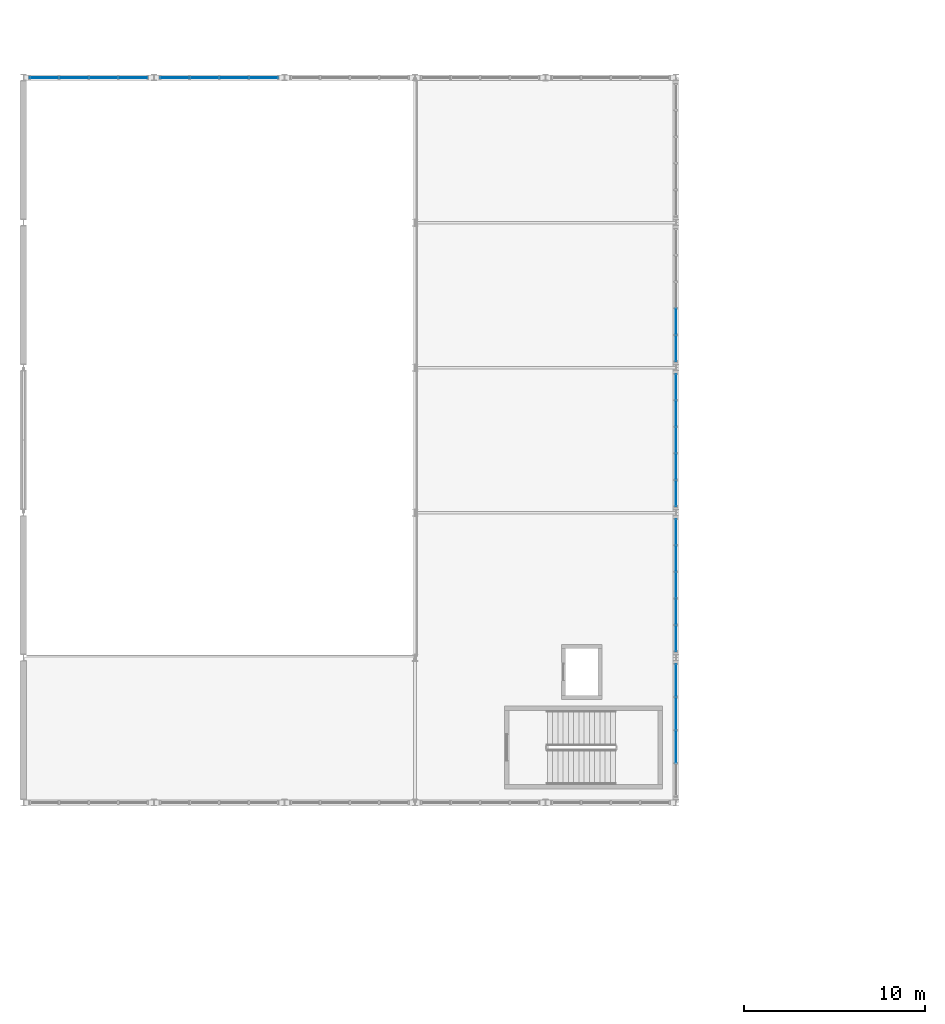
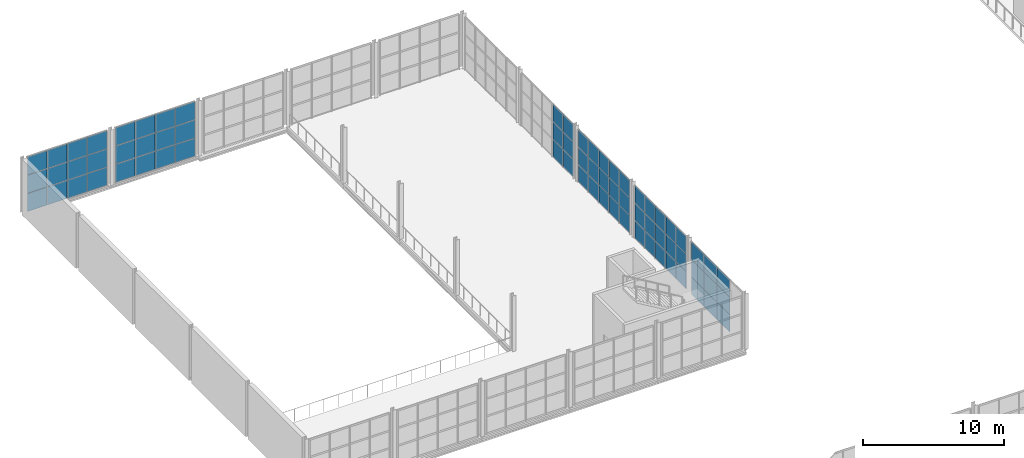
# One storey, part 112 of 143: 69 plates, 6 elements without a shape of their own.
"""IFC4 building model written with IfcOpenShell, lengths in metres."""

from ifc_helpers import new_model, si_unit, derived_unit, direction, frame, origin, origin_2d, place, context, subcontext, project, spatial, rectangle, extrude, material, layer, layer_set, type_object, element, aggregate, save


model = new_model("IFC4")

# Units and contexts
model_context = context("Model", 3, precision=1e-05, world=origin(), true_north=direction((0.0, 1.0)))
body_context = subcontext(model_context, "Body", "Model", "MODEL_VIEW")
ifc_project = project(units=[si_unit("LENGTHUNIT", "METRE"), si_unit("AREAUNIT", "SQUARE_METRE"), si_unit("VOLUMEUNIT", "CUBIC_METRE"), si_unit("PLANEANGLEUNIT", "RADIAN"), si_unit("MASSUNIT", "GRAM", prefix="KILO"), derived_unit("THERMALTRANSMITTANCEUNIT", [(si_unit("POWERUNIT", "WATT"), 1), (si_unit("LENGTHUNIT", "METRE"), -2), (si_unit("THERMODYNAMICTEMPERATUREUNIT", "KELVIN"), -1)])], contexts=[model_context])

# Site, building, storey
site_placement = place(None, origin())
site = spatial("IfcSite", under=ifc_project, at=site_placement, CompositionType="ELEMENT")
building_placement = place(site_placement, origin())
building = spatial("IfcBuilding", under=site, at=building_placement, Name="Keldorne Ridge Multi-Sports Centre", CompositionType="ELEMENT")
storey_placement = place(building_placement, frame((0.0, 0.0, 4.800048828125)))
storey = spatial("IfcBuildingStorey", under=building, at=storey_placement, Name="L01", CompositionType="ELEMENT", Elevation=4.800048828125)

# Curtain wall, plates
ifc_material_1 = material(Name="Anodized aluminium", Category="aluminium")
curtain_wall_type_1 = type_object("IfcCurtainWallType", Name="CW-CW-03", PredefinedType="NOTDEFINED", material=ifc_material_1)
curtain_wall_1_placement = place(storey_placement, origin())
curtain_wall_1 = element("IfcCurtainWall", 1, at=curtain_wall_1_placement, inside=storey, type_object=curtain_wall_type_1, Name="Climbing east courtyard glazing L01 059", PredefinedType="NOTDEFINED")
ifc_material_2 = material(Name="Double low-e insulated glazing", Category="glass")
ifc_layer_1 = layer(ifc_material_2, 0.035888671875)
ifc_layer_set_1 = layer_set([ifc_layer_1])
plate_type_1 = type_object("IfcPlateType", Name="PLT-GL-01", PredefinedType="CURTAIN_PANEL", material=ifc_layer_set_1)
plate_1_placement = place(storey_placement, frame((42.0, 77.0849609375, 0.02001953125), z_axis=(0.0, 0.0, 1.0), x_axis=(0.0, 1.0, 0.0)))
plate_1 = element("IfcPlate", 2, at=plate_1_placement, type_object=plate_type_1, Name="CW-059 glazed panel 2.1", PredefinedType="CURTAIN_PANEL", context=body_context, shape_type="SweptSolid", body=[
    extrude(rectangle(XDim=1.7900390625, YDim=0.035888671875, at=origin_2d()), origin(), (0.0, 0.0, 1.0), 1.476806640625),
])
plate_2_placement = place(storey_placement, frame((42.0, 77.0849609375, 1.53662109375), z_axis=(0.0, 0.0, 1.0), x_axis=(0.0, 1.0, 0.0)))
plate_2 = element("IfcPlate", 3, at=plate_2_placement, type_object=plate_type_1, Name="CW-059 glazed panel 2.2", PredefinedType="CURTAIN_PANEL", context=body_context, shape_type="SweptSolid", body=[
    extrude(rectangle(XDim=1.7900390625, YDim=0.035888671875, at=origin_2d()), origin(), (0.0, 0.0, 1.0), 1.476806640625),
])
plate_3_placement = place(storey_placement, frame((42.0, 77.0849609375, 3.05322265625), z_axis=(0.0, 0.0, 1.0), x_axis=(0.0, 1.0, 0.0)))
plate_3 = element("IfcPlate", 4, at=plate_3_placement, type_object=plate_type_1, Name="CW-059 glazed panel 2.3", PredefinedType="CURTAIN_PANEL", context=body_context, shape_type="SweptSolid", body=[
    extrude(rectangle(XDim=1.7900390625, YDim=0.035888671875, at=origin_2d()), origin(), (0.0, 0.0, 1.0), 1.476806640625),
])
plate_4_placement = place(storey_placement, frame((42.0, 78.9150390625, 0.02001953125), z_axis=(0.0, 0.0, 1.0), x_axis=(0.0, 1.0, 0.0)))
plate_4 = element("IfcPlate", 5, at=plate_4_placement, type_object=plate_type_1, Name="CW-059 glazed panel 3.1", PredefinedType="CURTAIN_PANEL", context=body_context, shape_type="SweptSolid", body=[
    extrude(rectangle(XDim=1.7900390625, YDim=0.035888671875, at=origin_2d()), origin(), (0.0, 0.0, 1.0), 1.476806640625),
])
plate_5_placement = place(storey_placement, frame((42.0, 78.9150390625, 1.53662109375), z_axis=(0.0, 0.0, 1.0), x_axis=(0.0, 1.0, 0.0)))
plate_5 = element("IfcPlate", 6, at=plate_5_placement, type_object=plate_type_1, Name="CW-059 glazed panel 3.2", PredefinedType="CURTAIN_PANEL", context=body_context, shape_type="SweptSolid", body=[
    extrude(rectangle(XDim=1.7900390625, YDim=0.035888671875, at=origin_2d()), origin(), (0.0, 0.0, 1.0), 1.476806640625),
])
plate_6_placement = place(storey_placement, frame((42.0, 78.9150390625, 3.05322265625), z_axis=(0.0, 0.0, 1.0), x_axis=(0.0, 1.0, 0.0)))
plate_6 = element("IfcPlate", 7, at=plate_6_placement, type_object=plate_type_1, Name="CW-059 glazed panel 3.3", PredefinedType="CURTAIN_PANEL", context=body_context, shape_type="SweptSolid", body=[
    extrude(rectangle(XDim=1.7900390625, YDim=0.035888671875, at=origin_2d()), origin(), (0.0, 0.0, 1.0), 1.476806640625),
])
plate_7_placement = place(storey_placement, frame((42.0, 80.7451171875, 0.02001953125), z_axis=(0.0, 0.0, 1.0), x_axis=(0.0, 1.0, 0.0)))
plate_7 = element("IfcPlate", 8, at=plate_7_placement, type_object=plate_type_1, Name="CW-059 glazed panel 4.1", PredefinedType="CURTAIN_PANEL", context=body_context, shape_type="SweptSolid", body=[
    extrude(rectangle(XDim=1.7900390625, YDim=0.035888671875, at=origin_2d()), origin(), (0.0, 0.0, 1.0), 1.476806640625),
])
plate_8_placement = place(storey_placement, frame((42.0, 80.7451171875, 1.53662109375), z_axis=(0.0, 0.0, 1.0), x_axis=(0.0, 1.0, 0.0)))
plate_8 = element("IfcPlate", 9, at=plate_8_placement, type_object=plate_type_1, Name="CW-059 glazed panel 4.2", PredefinedType="CURTAIN_PANEL", context=body_context, shape_type="SweptSolid", body=[
    extrude(rectangle(XDim=1.7900390625, YDim=0.035888671875, at=origin_2d()), origin(), (0.0, 0.0, 1.0), 1.476806640625),
])
plate_9_placement = place(storey_placement, frame((42.0, 80.7451171875, 3.05322265625), z_axis=(0.0, 0.0, 1.0), x_axis=(0.0, 1.0, 0.0)))
plate_9 = element("IfcPlate", 10, at=plate_9_placement, type_object=plate_type_1, Name="CW-059 glazed panel 4.3", PredefinedType="CURTAIN_PANEL", context=body_context, shape_type="SweptSolid", body=[
    extrude(rectangle(XDim=1.7900390625, YDim=0.035888671875, at=origin_2d()), origin(), (0.0, 0.0, 1.0), 1.476806640625),
])
aggregate(curtain_wall_1, [plate_1, plate_2, plate_3, plate_4, plate_5, plate_6, plate_7, plate_8, plate_9])

curtain_wall_type_2 = type_object("IfcCurtainWallType", Name="CW-CW-06", PredefinedType="NOTDEFINED", material=ifc_material_1)
curtain_wall_2_placement = place(storey_placement, origin())
curtain_wall_2 = element("IfcCurtainWall", 11, at=curtain_wall_2_placement, inside=storey, type_object=curtain_wall_type_2, Name="Climbing east courtyard glazing L01 062", PredefinedType="NOTDEFINED")
plate_10_placement = place(storey_placement, frame((42.0, 83.072021484375, 0.02001953125), z_axis=(0.0, 0.0, 1.0), x_axis=(0.0, 1.0, 0.0)))
plate_10 = element("IfcPlate", 12, at=plate_10_placement, type_object=plate_type_1, Name="CW-062 glazed panel 1.1", PredefinedType="CURTAIN_PANEL", context=body_context, shape_type="SweptSolid", body=[
    extrude(rectangle(XDim=1.424072265625, YDim=0.035888671875, at=origin_2d()), origin(), (0.0, 0.0, 1.0), 1.476806640625),
])
plate_11_placement = place(storey_placement, frame((42.0, 83.072021484375, 1.53662109375), z_axis=(0.0, 0.0, 1.0), x_axis=(0.0, 1.0, 0.0)))
plate_11 = element("IfcPlate", 13, at=plate_11_placement, type_object=plate_type_1, Name="CW-062 glazed panel 1.2", PredefinedType="CURTAIN_PANEL", context=body_context, shape_type="SweptSolid", body=[
    extrude(rectangle(XDim=1.424072265625, YDim=0.035888671875, at=origin_2d()), origin(), (0.0, 0.0, 1.0), 1.476806640625),
])
plate_12_placement = place(storey_placement, frame((42.0, 83.072021484375, 3.05322265625), z_axis=(0.0, 0.0, 1.0), x_axis=(0.0, 1.0, 0.0)))
plate_12 = element("IfcPlate", 14, at=plate_12_placement, type_object=plate_type_1, Name="CW-062 glazed panel 1.3", PredefinedType="CURTAIN_PANEL", context=body_context, shape_type="SweptSolid", body=[
    extrude(rectangle(XDim=1.424072265625, YDim=0.035888671875, at=origin_2d()), origin(), (0.0, 0.0, 1.0), 1.476806640625),
])
plate_13_placement = place(storey_placement, frame((42.0, 84.535888671875, 0.02001953125), z_axis=(0.0, 0.0, 1.0), x_axis=(0.0, 1.0, 0.0)))
plate_13 = element("IfcPlate", 15, at=plate_13_placement, type_object=plate_type_1, Name="CW-062 glazed panel 2.1", PredefinedType="CURTAIN_PANEL", context=body_context, shape_type="SweptSolid", body=[
    extrude(rectangle(XDim=1.424072265625, YDim=0.035888671875, at=origin_2d()), origin(), (0.0, 0.0, 1.0), 1.476806640625),
])
plate_14_placement = place(storey_placement, frame((42.0, 84.535888671875, 1.53662109375), z_axis=(0.0, 0.0, 1.0), x_axis=(0.0, 1.0, 0.0)))
plate_14 = element("IfcPlate", 16, at=plate_14_placement, type_object=plate_type_1, Name="CW-062 glazed panel 2.2", PredefinedType="CURTAIN_PANEL", context=body_context, shape_type="SweptSolid", body=[
    extrude(rectangle(XDim=1.424072265625, YDim=0.035888671875, at=origin_2d()), origin(), (0.0, 0.0, 1.0), 1.476806640625),
])
plate_15_placement = place(storey_placement, frame((42.0, 84.535888671875, 3.05322265625), z_axis=(0.0, 0.0, 1.0), x_axis=(0.0, 1.0, 0.0)))
plate_15 = element("IfcPlate", 17, at=plate_15_placement, type_object=plate_type_1, Name="CW-062 glazed panel 2.3", PredefinedType="CURTAIN_PANEL", context=body_context, shape_type="SweptSolid", body=[
    extrude(rectangle(XDim=1.424072265625, YDim=0.035888671875, at=origin_2d()), origin(), (0.0, 0.0, 1.0), 1.476806640625),
])
plate_16_placement = place(storey_placement, frame((42.0, 86.0, 0.02001953125), z_axis=(0.0, 0.0, 1.0), x_axis=(0.0, 1.0, 0.0)))
plate_16 = element("IfcPlate", 18, at=plate_16_placement, type_object=plate_type_1, Name="CW-062 glazed panel 3.1", PredefinedType="CURTAIN_PANEL", context=body_context, shape_type="SweptSolid", body=[
    extrude(rectangle(XDim=1.424072265625, YDim=0.035888671875, at=origin_2d()), origin(), (0.0, 0.0, 1.0), 1.476806640625),
])
plate_17_placement = place(storey_placement, frame((42.0, 86.0, 1.53662109375), z_axis=(0.0, 0.0, 1.0), x_axis=(0.0, 1.0, 0.0)))
plate_17 = element("IfcPlate", 19, at=plate_17_placement, type_object=plate_type_1, Name="CW-062 glazed panel 3.2", PredefinedType="CURTAIN_PANEL", context=body_context, shape_type="SweptSolid", body=[
    extrude(rectangle(XDim=1.424072265625, YDim=0.035888671875, at=origin_2d()), origin(), (0.0, 0.0, 1.0), 1.476806640625),
])
plate_18_placement = place(storey_placement, frame((42.0, 86.0, 3.05322265625), z_axis=(0.0, 0.0, 1.0), x_axis=(0.0, 1.0, 0.0)))
plate_18 = element("IfcPlate", 20, at=plate_18_placement, type_object=plate_type_1, Name="CW-062 glazed panel 3.3", PredefinedType="CURTAIN_PANEL", context=body_context, shape_type="SweptSolid", body=[
    extrude(rectangle(XDim=1.424072265625, YDim=0.035888671875, at=origin_2d()), origin(), (0.0, 0.0, 1.0), 1.476806640625),
])
plate_19_placement = place(storey_placement, frame((42.0, 87.464111328125, 0.02001953125), z_axis=(0.0, 0.0, 1.0), x_axis=(0.0, 1.0, 0.0)))
plate_19 = element("IfcPlate", 21, at=plate_19_placement, type_object=plate_type_1, Name="CW-062 glazed panel 4.1", PredefinedType="CURTAIN_PANEL", context=body_context, shape_type="SweptSolid", body=[
    extrude(rectangle(XDim=1.424072265625, YDim=0.035888671875, at=origin_2d()), origin(), (0.0, 0.0, 1.0), 1.476806640625),
])
plate_20_placement = place(storey_placement, frame((42.0, 87.464111328125, 1.53662109375), z_axis=(0.0, 0.0, 1.0), x_axis=(0.0, 1.0, 0.0)))
plate_20 = element("IfcPlate", 22, at=plate_20_placement, type_object=plate_type_1, Name="CW-062 glazed panel 4.2", PredefinedType="CURTAIN_PANEL", context=body_context, shape_type="SweptSolid", body=[
    extrude(rectangle(XDim=1.424072265625, YDim=0.035888671875, at=origin_2d()), origin(), (0.0, 0.0, 1.0), 1.476806640625),
])
plate_21_placement = place(storey_placement, frame((42.0, 87.464111328125, 3.05322265625), z_axis=(0.0, 0.0, 1.0), x_axis=(0.0, 1.0, 0.0)))
plate_21 = element("IfcPlate", 23, at=plate_21_placement, type_object=plate_type_1, Name="CW-062 glazed panel 4.3", PredefinedType="CURTAIN_PANEL", context=body_context, shape_type="SweptSolid", body=[
    extrude(rectangle(XDim=1.424072265625, YDim=0.035888671875, at=origin_2d()), origin(), (0.0, 0.0, 1.0), 1.476806640625),
])
plate_22_placement = place(storey_placement, frame((42.0, 88.927978515625, 0.02001953125), z_axis=(0.0, 0.0, 1.0), x_axis=(0.0, 1.0, 0.0)))
plate_22 = element("IfcPlate", 24, at=plate_22_placement, type_object=plate_type_1, Name="CW-062 glazed panel 5.1", PredefinedType="CURTAIN_PANEL", context=body_context, shape_type="SweptSolid", body=[
    extrude(rectangle(XDim=1.424072265625, YDim=0.035888671875, at=origin_2d()), origin(), (0.0, 0.0, 1.0), 1.476806640625),
])
plate_23_placement = place(storey_placement, frame((42.0, 88.927978515625, 1.53662109375), z_axis=(0.0, 0.0, 1.0), x_axis=(0.0, 1.0, 0.0)))
plate_23 = element("IfcPlate", 25, at=plate_23_placement, type_object=plate_type_1, Name="CW-062 glazed panel 5.2", PredefinedType="CURTAIN_PANEL", context=body_context, shape_type="SweptSolid", body=[
    extrude(rectangle(XDim=1.424072265625, YDim=0.035888671875, at=origin_2d()), origin(), (0.0, 0.0, 1.0), 1.476806640625),
])
plate_24_placement = place(storey_placement, frame((42.0, 88.927978515625, 3.05322265625), z_axis=(0.0, 0.0, 1.0), x_axis=(0.0, 1.0, 0.0)))
plate_24 = element("IfcPlate", 26, at=plate_24_placement, type_object=plate_type_1, Name="CW-062 glazed panel 5.3", PredefinedType="CURTAIN_PANEL", context=body_context, shape_type="SweptSolid", body=[
    extrude(rectangle(XDim=1.424072265625, YDim=0.035888671875, at=origin_2d()), origin(), (0.0, 0.0, 1.0), 1.476806640625),
])
aggregate(curtain_wall_2, [plate_10, plate_11, plate_12, plate_13, plate_14, plate_15, plate_16, plate_17, plate_18, plate_19, plate_20, plate_21, plate_22, plate_23, plate_24])

curtain_wall_type_3 = type_object("IfcCurtainWallType", Name="CW-CW-01", PredefinedType="NOTDEFINED", material=ifc_material_1)
curtain_wall_3_placement = place(storey_placement, origin())
curtain_wall_3 = element("IfcCurtainWall", 27, at=curtain_wall_3_placement, inside=storey, type_object=curtain_wall_type_3, Name="Climbing east courtyard glazing L01 065", PredefinedType="NOTDEFINED")
plate_25_placement = place(storey_placement, frame((42.0, 91.072021484375, 0.02001953125), z_axis=(0.0, 0.0, 1.0), x_axis=(0.0, 1.0, 0.0)))
plate_25 = element("IfcPlate", 28, at=plate_25_placement, type_object=plate_type_1, Name="CW-065 glazed panel 1.1", PredefinedType="CURTAIN_PANEL", context=body_context, shape_type="SweptSolid", body=[
    extrude(rectangle(XDim=1.424072265625, YDim=0.035888671875, at=origin_2d()), origin(), (0.0, 0.0, 1.0), 1.476806640625),
])
plate_26_placement = place(storey_placement, frame((42.0, 91.072021484375, 1.53662109375), z_axis=(0.0, 0.0, 1.0), x_axis=(0.0, 1.0, 0.0)))
plate_26 = element("IfcPlate", 29, at=plate_26_placement, type_object=plate_type_1, Name="CW-065 glazed panel 1.2", PredefinedType="CURTAIN_PANEL", context=body_context, shape_type="SweptSolid", body=[
    extrude(rectangle(XDim=1.424072265625, YDim=0.035888671875, at=origin_2d()), origin(), (0.0, 0.0, 1.0), 1.476806640625),
])
plate_27_placement = place(storey_placement, frame((42.0, 91.072021484375, 3.05322265625), z_axis=(0.0, 0.0, 1.0), x_axis=(0.0, 1.0, 0.0)))
plate_27 = element("IfcPlate", 30, at=plate_27_placement, type_object=plate_type_1, Name="CW-065 glazed panel 1.3", PredefinedType="CURTAIN_PANEL", context=body_context, shape_type="SweptSolid", body=[
    extrude(rectangle(XDim=1.424072265625, YDim=0.035888671875, at=origin_2d()), origin(), (0.0, 0.0, 1.0), 1.476806640625),
])
plate_28_placement = place(storey_placement, frame((42.0, 92.535888671875, 0.02001953125), z_axis=(0.0, 0.0, 1.0), x_axis=(0.0, 1.0, 0.0)))
plate_28 = element("IfcPlate", 31, at=plate_28_placement, type_object=plate_type_1, Name="CW-065 glazed panel 2.1", PredefinedType="CURTAIN_PANEL", context=body_context, shape_type="SweptSolid", body=[
    extrude(rectangle(XDim=1.424072265625, YDim=0.035888671875, at=origin_2d()), origin(), (0.0, 0.0, 1.0), 1.476806640625),
])
plate_29_placement = place(storey_placement, frame((42.0, 92.535888671875, 1.53662109375), z_axis=(0.0, 0.0, 1.0), x_axis=(0.0, 1.0, 0.0)))
plate_29 = element("IfcPlate", 32, at=plate_29_placement, type_object=plate_type_1, Name="CW-065 glazed panel 2.2", PredefinedType="CURTAIN_PANEL", context=body_context, shape_type="SweptSolid", body=[
    extrude(rectangle(XDim=1.424072265625, YDim=0.035888671875, at=origin_2d()), origin(), (0.0, 0.0, 1.0), 1.476806640625),
])
plate_30_placement = place(storey_placement, frame((42.0, 92.535888671875, 3.05322265625), z_axis=(0.0, 0.0, 1.0), x_axis=(0.0, 1.0, 0.0)))
plate_30 = element("IfcPlate", 33, at=plate_30_placement, type_object=plate_type_1, Name="CW-065 glazed panel 2.3", PredefinedType="CURTAIN_PANEL", context=body_context, shape_type="SweptSolid", body=[
    extrude(rectangle(XDim=1.424072265625, YDim=0.035888671875, at=origin_2d()), origin(), (0.0, 0.0, 1.0), 1.476806640625),
])
plate_31_placement = place(storey_placement, frame((42.0, 94.0, 0.02001953125), z_axis=(0.0, 0.0, 1.0), x_axis=(0.0, 1.0, 0.0)))
plate_31 = element("IfcPlate", 34, at=plate_31_placement, type_object=plate_type_1, Name="CW-065 glazed panel 3.1", PredefinedType="CURTAIN_PANEL", context=body_context, shape_type="SweptSolid", body=[
    extrude(rectangle(XDim=1.424072265625, YDim=0.035888671875, at=origin_2d()), origin(), (0.0, 0.0, 1.0), 1.476806640625),
])
plate_32_placement = place(storey_placement, frame((42.0, 94.0, 1.53662109375), z_axis=(0.0, 0.0, 1.0), x_axis=(0.0, 1.0, 0.0)))
plate_32 = element("IfcPlate", 35, at=plate_32_placement, type_object=plate_type_1, Name="CW-065 glazed panel 3.2", PredefinedType="CURTAIN_PANEL", context=body_context, shape_type="SweptSolid", body=[
    extrude(rectangle(XDim=1.424072265625, YDim=0.035888671875, at=origin_2d()), origin(), (0.0, 0.0, 1.0), 1.476806640625),
])
plate_33_placement = place(storey_placement, frame((42.0, 94.0, 3.05322265625), z_axis=(0.0, 0.0, 1.0), x_axis=(0.0, 1.0, 0.0)))
plate_33 = element("IfcPlate", 36, at=plate_33_placement, type_object=plate_type_1, Name="CW-065 glazed panel 3.3", PredefinedType="CURTAIN_PANEL", context=body_context, shape_type="SweptSolid", body=[
    extrude(rectangle(XDim=1.424072265625, YDim=0.035888671875, at=origin_2d()), origin(), (0.0, 0.0, 1.0), 1.476806640625),
])
plate_34_placement = place(storey_placement, frame((42.0, 95.464111328125, 0.02001953125), z_axis=(0.0, 0.0, 1.0), x_axis=(0.0, 1.0, 0.0)))
plate_34 = element("IfcPlate", 37, at=plate_34_placement, type_object=plate_type_1, Name="CW-065 glazed panel 4.1", PredefinedType="CURTAIN_PANEL", context=body_context, shape_type="SweptSolid", body=[
    extrude(rectangle(XDim=1.424072265625, YDim=0.035888671875, at=origin_2d()), origin(), (0.0, 0.0, 1.0), 1.476806640625),
])
plate_35_placement = place(storey_placement, frame((42.0, 95.464111328125, 1.53662109375), z_axis=(0.0, 0.0, 1.0), x_axis=(0.0, 1.0, 0.0)))
plate_35 = element("IfcPlate", 38, at=plate_35_placement, type_object=plate_type_1, Name="CW-065 glazed panel 4.2", PredefinedType="CURTAIN_PANEL", context=body_context, shape_type="SweptSolid", body=[
    extrude(rectangle(XDim=1.424072265625, YDim=0.035888671875, at=origin_2d()), origin(), (0.0, 0.0, 1.0), 1.476806640625),
])
plate_36_placement = place(storey_placement, frame((42.0, 95.464111328125, 3.05322265625), z_axis=(0.0, 0.0, 1.0), x_axis=(0.0, 1.0, 0.0)))
plate_36 = element("IfcPlate", 39, at=plate_36_placement, type_object=plate_type_1, Name="CW-065 glazed panel 4.3", PredefinedType="CURTAIN_PANEL", context=body_context, shape_type="SweptSolid", body=[
    extrude(rectangle(XDim=1.424072265625, YDim=0.035888671875, at=origin_2d()), origin(), (0.0, 0.0, 1.0), 1.476806640625),
])
plate_37_placement = place(storey_placement, frame((42.0, 96.927978515625, 0.02001953125), z_axis=(0.0, 0.0, 1.0), x_axis=(0.0, 1.0, 0.0)))
plate_37 = element("IfcPlate", 40, at=plate_37_placement, type_object=plate_type_1, Name="CW-065 glazed panel 5.1", PredefinedType="CURTAIN_PANEL", context=body_context, shape_type="SweptSolid", body=[
    extrude(rectangle(XDim=1.424072265625, YDim=0.035888671875, at=origin_2d()), origin(), (0.0, 0.0, 1.0), 1.476806640625),
])
plate_38_placement = place(storey_placement, frame((42.0, 96.927978515625, 1.53662109375), z_axis=(0.0, 0.0, 1.0), x_axis=(0.0, 1.0, 0.0)))
plate_38 = element("IfcPlate", 41, at=plate_38_placement, type_object=plate_type_1, Name="CW-065 glazed panel 5.2", PredefinedType="CURTAIN_PANEL", context=body_context, shape_type="SweptSolid", body=[
    extrude(rectangle(XDim=1.424072265625, YDim=0.035888671875, at=origin_2d()), origin(), (0.0, 0.0, 1.0), 1.476806640625),
])
plate_39_placement = place(storey_placement, frame((42.0, 96.927978515625, 3.05322265625), z_axis=(0.0, 0.0, 1.0), x_axis=(0.0, 1.0, 0.0)))
plate_39 = element("IfcPlate", 42, at=plate_39_placement, type_object=plate_type_1, Name="CW-065 glazed panel 5.3", PredefinedType="CURTAIN_PANEL", context=body_context, shape_type="SweptSolid", body=[
    extrude(rectangle(XDim=1.424072265625, YDim=0.035888671875, at=origin_2d()), origin(), (0.0, 0.0, 1.0), 1.476806640625),
])
aggregate(curtain_wall_3, [plate_25, plate_26, plate_27, plate_28, plate_29, plate_30, plate_31, plate_32, plate_33, plate_34, plate_35, plate_36, plate_37, plate_38, plate_39])

curtain_wall_type_4 = type_object("IfcCurtainWallType", Name="CW-CW-04", PredefinedType="NOTDEFINED", material=ifc_material_1)
curtain_wall_4_placement = place(storey_placement, origin())
curtain_wall_4 = element("IfcCurtainWall", 43, at=curtain_wall_4_placement, inside=storey, type_object=curtain_wall_type_4, Name="Climbing east courtyard glazing L01 068", PredefinedType="NOTDEFINED")
plate_40_placement = place(storey_placement, frame((42.0, 99.072021484375, 0.02001953125), z_axis=(0.0, 0.0, 1.0), x_axis=(0.0, 1.0, 0.0)))
plate_40 = element("IfcPlate", 44, at=plate_40_placement, type_object=plate_type_1, Name="CW-068 glazed panel 1.1", PredefinedType="CURTAIN_PANEL", context=body_context, shape_type="SweptSolid", body=[
    extrude(rectangle(XDim=1.424072265625, YDim=0.035888671875, at=origin_2d()), origin(), (0.0, 0.0, 1.0), 1.476806640625),
])
plate_41_placement = place(storey_placement, frame((42.0, 99.072021484375, 1.53662109375), z_axis=(0.0, 0.0, 1.0), x_axis=(0.0, 1.0, 0.0)))
plate_41 = element("IfcPlate", 45, at=plate_41_placement, type_object=plate_type_1, Name="CW-068 glazed panel 1.2", PredefinedType="CURTAIN_PANEL", context=body_context, shape_type="SweptSolid", body=[
    extrude(rectangle(XDim=1.424072265625, YDim=0.035888671875, at=origin_2d()), origin(), (0.0, 0.0, 1.0), 1.476806640625),
])
plate_42_placement = place(storey_placement, frame((42.0, 99.072021484375, 3.05322265625), z_axis=(0.0, 0.0, 1.0), x_axis=(0.0, 1.0, 0.0)))
plate_42 = element("IfcPlate", 46, at=plate_42_placement, type_object=plate_type_1, Name="CW-068 glazed panel 1.3", PredefinedType="CURTAIN_PANEL", context=body_context, shape_type="SweptSolid", body=[
    extrude(rectangle(XDim=1.424072265625, YDim=0.035888671875, at=origin_2d()), origin(), (0.0, 0.0, 1.0), 1.476806640625),
])
plate_43_placement = place(storey_placement, frame((42.0, 100.535888671875, 0.02001953125), z_axis=(0.0, 0.0, 1.0), x_axis=(0.0, 1.0, 0.0)))
plate_43 = element("IfcPlate", 47, at=plate_43_placement, type_object=plate_type_1, Name="CW-068 glazed panel 2.1", PredefinedType="CURTAIN_PANEL", context=body_context, shape_type="SweptSolid", body=[
    extrude(rectangle(XDim=1.424072265625, YDim=0.035888671875, at=origin_2d()), origin(), (0.0, 0.0, 1.0), 1.476806640625),
])
plate_44_placement = place(storey_placement, frame((42.0, 100.535888671875, 1.53662109375), z_axis=(0.0, 0.0, 1.0), x_axis=(0.0, 1.0, 0.0)))
plate_44 = element("IfcPlate", 48, at=plate_44_placement, type_object=plate_type_1, Name="CW-068 glazed panel 2.2", PredefinedType="CURTAIN_PANEL", context=body_context, shape_type="SweptSolid", body=[
    extrude(rectangle(XDim=1.424072265625, YDim=0.035888671875, at=origin_2d()), origin(), (0.0, 0.0, 1.0), 1.476806640625),
])
plate_45_placement = place(storey_placement, frame((42.0, 100.535888671875, 3.05322265625), z_axis=(0.0, 0.0, 1.0), x_axis=(0.0, 1.0, 0.0)))
plate_45 = element("IfcPlate", 49, at=plate_45_placement, type_object=plate_type_1, Name="CW-068 glazed panel 2.3", PredefinedType="CURTAIN_PANEL", context=body_context, shape_type="SweptSolid", body=[
    extrude(rectangle(XDim=1.424072265625, YDim=0.035888671875, at=origin_2d()), origin(), (0.0, 0.0, 1.0), 1.476806640625),
])
aggregate(curtain_wall_4, [plate_40, plate_41, plate_42, plate_43, plate_44, plate_45])

curtain_wall_5_placement = place(storey_placement, origin())
curtain_wall_5 = element("IfcCurtainWall", 50, at=curtain_wall_5_placement, inside=storey, type_object=curtain_wall_type_2, Name="Climbing north glazing L01 038", PredefinedType="NOTDEFINED")
ifc_material_3 = material(Name="Triple acoustic low-e glazing", Category="glass")
ifc_layer_2 = layer(ifc_material_3, 0.0439453125)
ifc_layer_set_2 = layer_set([ifc_layer_2])
plate_type_2 = type_object("IfcPlateType", Name="PLT-GL-02", PredefinedType="CURTAIN_PANEL", material=ifc_layer_set_2)
plate_46_placement = place(storey_placement, frame((12.044921875, 114.0, 0.02001953125), z_axis=(0.0, 0.0, 1.0), x_axis=(-1.0, 0.0, 0.0)))
plate_46 = element("IfcPlate", 51, at=plate_46_placement, type_object=plate_type_2, Name="CW-038 glazed panel 1.1", PredefinedType="CURTAIN_PANEL", context=body_context, shape_type="SweptSolid", body=[
    extrude(rectangle(XDim=1.590087890625, YDim=0.0439453125, at=origin_2d()), origin(), (0.0, 0.0, 1.0), 1.543212890625),
])
plate_47_placement = place(storey_placement, frame((12.044921875, 114.0, 1.603515625), z_axis=(0.0, 0.0, 1.0), x_axis=(-1.0, 0.0, 0.0)))
plate_47 = element("IfcPlate", 52, at=plate_47_placement, type_object=plate_type_2, Name="CW-038 glazed panel 1.2", PredefinedType="CURTAIN_PANEL", context=body_context, shape_type="SweptSolid", body=[
    extrude(rectangle(XDim=1.590087890625, YDim=0.0439453125, at=origin_2d()), origin(), (0.0, 0.0, 1.0), 1.543212890625),
])
plate_48_placement = place(storey_placement, frame((12.044921875, 114.0, 3.1865234375), z_axis=(0.0, 0.0, 1.0), x_axis=(-1.0, 0.0, 0.0)))
plate_48 = element("IfcPlate", 53, at=plate_48_placement, type_object=plate_type_2, Name="CW-038 glazed panel 1.3", PredefinedType="CURTAIN_PANEL", context=body_context, shape_type="SweptSolid", body=[
    extrude(rectangle(XDim=1.590087890625, YDim=0.0439453125, at=origin_2d()), origin(), (0.0, 0.0, 1.0), 1.543212890625),
])
plate_49_placement = place(storey_placement, frame((10.4150390625, 114.0, 0.02001953125), z_axis=(0.0, 0.0, 1.0), x_axis=(-1.0, 0.0, 0.0)))
plate_49 = element("IfcPlate", 54, at=plate_49_placement, type_object=plate_type_2, Name="CW-038 glazed panel 2.1", PredefinedType="CURTAIN_PANEL", context=body_context, shape_type="SweptSolid", body=[
    extrude(rectangle(XDim=1.590087890625, YDim=0.0439453125, at=origin_2d()), origin(), (0.0, 0.0, 1.0), 1.543212890625),
])
plate_50_placement = place(storey_placement, frame((10.4150390625, 114.0, 1.603515625), z_axis=(0.0, 0.0, 1.0), x_axis=(-1.0, 0.0, 0.0)))
plate_50 = element("IfcPlate", 55, at=plate_50_placement, type_object=plate_type_2, Name="CW-038 glazed panel 2.2", PredefinedType="CURTAIN_PANEL", context=body_context, shape_type="SweptSolid", body=[
    extrude(rectangle(XDim=1.590087890625, YDim=0.0439453125, at=origin_2d()), origin(), (0.0, 0.0, 1.0), 1.543212890625),
])
plate_51_placement = place(storey_placement, frame((10.4150390625, 114.0, 3.1865234375), z_axis=(0.0, 0.0, 1.0), x_axis=(-1.0, 0.0, 0.0)))
plate_51 = element("IfcPlate", 56, at=plate_51_placement, type_object=plate_type_2, Name="CW-038 glazed panel 2.3", PredefinedType="CURTAIN_PANEL", context=body_context, shape_type="SweptSolid", body=[
    extrude(rectangle(XDim=1.590087890625, YDim=0.0439453125, at=origin_2d()), origin(), (0.0, 0.0, 1.0), 1.543212890625),
])
plate_52_placement = place(storey_placement, frame((8.784912109375, 114.0, 0.02001953125), z_axis=(0.0, 0.0, 1.0), x_axis=(-1.0, 0.0, 0.0)))
plate_52 = element("IfcPlate", 57, at=plate_52_placement, type_object=plate_type_2, Name="CW-038 glazed panel 3.1", PredefinedType="CURTAIN_PANEL", context=body_context, shape_type="SweptSolid", body=[
    extrude(rectangle(XDim=1.590087890625, YDim=0.0439453125, at=origin_2d()), origin(), (0.0, 0.0, 1.0), 1.543212890625),
])
plate_53_placement = place(storey_placement, frame((8.784912109375, 114.0, 1.603515625), z_axis=(0.0, 0.0, 1.0), x_axis=(-1.0, 0.0, 0.0)))
plate_53 = element("IfcPlate", 58, at=plate_53_placement, type_object=plate_type_2, Name="CW-038 glazed panel 3.2", PredefinedType="CURTAIN_PANEL", context=body_context, shape_type="SweptSolid", body=[
    extrude(rectangle(XDim=1.590087890625, YDim=0.0439453125, at=origin_2d()), origin(), (0.0, 0.0, 1.0), 1.543212890625),
])
plate_54_placement = place(storey_placement, frame((8.784912109375, 114.0, 3.1865234375), z_axis=(0.0, 0.0, 1.0), x_axis=(-1.0, 0.0, 0.0)))
plate_54 = element("IfcPlate", 59, at=plate_54_placement, type_object=plate_type_2, Name="CW-038 glazed panel 3.3", PredefinedType="CURTAIN_PANEL", context=body_context, shape_type="SweptSolid", body=[
    extrude(rectangle(XDim=1.590087890625, YDim=0.0439453125, at=origin_2d()), origin(), (0.0, 0.0, 1.0), 1.543212890625),
])
plate_55_placement = place(storey_placement, frame((7.155029296875, 114.0, 0.02001953125), z_axis=(0.0, 0.0, 1.0), x_axis=(-1.0, 0.0, 0.0)))
plate_55 = element("IfcPlate", 60, at=plate_55_placement, type_object=plate_type_2, Name="CW-038 glazed panel 4.1", PredefinedType="CURTAIN_PANEL", context=body_context, shape_type="SweptSolid", body=[
    extrude(rectangle(XDim=1.590087890625, YDim=0.0439453125, at=origin_2d()), origin(), (0.0, 0.0, 1.0), 1.543212890625),
])
plate_56_placement = place(storey_placement, frame((7.155029296875, 114.0, 1.603515625), z_axis=(0.0, 0.0, 1.0), x_axis=(-1.0, 0.0, 0.0)))
plate_56 = element("IfcPlate", 61, at=plate_56_placement, type_object=plate_type_2, Name="CW-038 glazed panel 4.2", PredefinedType="CURTAIN_PANEL", context=body_context, shape_type="SweptSolid", body=[
    extrude(rectangle(XDim=1.590087890625, YDim=0.0439453125, at=origin_2d()), origin(), (0.0, 0.0, 1.0), 1.543212890625),
])
plate_57_placement = place(storey_placement, frame((7.155029296875, 114.0, 3.1865234375), z_axis=(0.0, 0.0, 1.0), x_axis=(-1.0, 0.0, 0.0)))
plate_57 = element("IfcPlate", 62, at=plate_57_placement, type_object=plate_type_2, Name="CW-038 glazed panel 4.3", PredefinedType="CURTAIN_PANEL", context=body_context, shape_type="SweptSolid", body=[
    extrude(rectangle(XDim=1.590087890625, YDim=0.0439453125, at=origin_2d()), origin(), (0.0, 0.0, 1.0), 1.543212890625),
])
aggregate(curtain_wall_5, [plate_46, plate_47, plate_48, plate_49, plate_50, plate_51, plate_52, plate_53, plate_54, plate_55, plate_56, plate_57])

curtain_wall_type_5 = type_object("IfcCurtainWallType", Name="CW-CW-02", PredefinedType="NOTDEFINED", material=ifc_material_1)
curtain_wall_6_placement = place(storey_placement, origin())
curtain_wall_6 = element("IfcCurtainWall", 63, at=curtain_wall_6_placement, inside=storey, type_object=curtain_wall_type_5, Name="Climbing north glazing L01 042", PredefinedType="NOTDEFINED")
plate_58_placement = place(storey_placement, frame((19.2451171875, 114.0, 0.02001953125), z_axis=(0.0, 0.0, 1.0), x_axis=(-1.0, 0.0, 0.0)))
plate_58 = element("IfcPlate", 64, at=plate_58_placement, type_object=plate_type_2, Name="CW-042 glazed panel 1.1", PredefinedType="CURTAIN_PANEL", context=body_context, shape_type="SweptSolid", body=[
    extrude(rectangle(XDim=1.590087890625, YDim=0.0439453125, at=origin_2d()), origin(), (0.0, 0.0, 1.0), 1.543212890625),
])
plate_59_placement = place(storey_placement, frame((19.2451171875, 114.0, 1.603515625), z_axis=(0.0, 0.0, 1.0), x_axis=(-1.0, 0.0, 0.0)))
plate_59 = element("IfcPlate", 65, at=plate_59_placement, type_object=plate_type_2, Name="CW-042 glazed panel 1.2", PredefinedType="CURTAIN_PANEL", context=body_context, shape_type="SweptSolid", body=[
    extrude(rectangle(XDim=1.590087890625, YDim=0.0439453125, at=origin_2d()), origin(), (0.0, 0.0, 1.0), 1.543212890625),
])
plate_60_placement = place(storey_placement, frame((19.2451171875, 114.0, 3.1865234375), z_axis=(0.0, 0.0, 1.0), x_axis=(-1.0, 0.0, 0.0)))
plate_60 = element("IfcPlate", 66, at=plate_60_placement, type_object=plate_type_2, Name="CW-042 glazed panel 1.3", PredefinedType="CURTAIN_PANEL", context=body_context, shape_type="SweptSolid", body=[
    extrude(rectangle(XDim=1.590087890625, YDim=0.0439453125, at=origin_2d()), origin(), (0.0, 0.0, 1.0), 1.543212890625),
])
plate_61_placement = place(storey_placement, frame((17.614990234375, 114.0, 0.02001953125), z_axis=(0.0, 0.0, 1.0), x_axis=(-1.0, 0.0, 0.0)))
plate_61 = element("IfcPlate", 67, at=plate_61_placement, type_object=plate_type_2, Name="CW-042 glazed panel 2.1", PredefinedType="CURTAIN_PANEL", context=body_context, shape_type="SweptSolid", body=[
    extrude(rectangle(XDim=1.590087890625, YDim=0.0439453125, at=origin_2d()), origin(), (0.0, 0.0, 1.0), 1.543212890625),
])
plate_62_placement = place(storey_placement, frame((17.614990234375, 114.0, 1.603515625), z_axis=(0.0, 0.0, 1.0), x_axis=(-1.0, 0.0, 0.0)))
plate_62 = element("IfcPlate", 68, at=plate_62_placement, type_object=plate_type_2, Name="CW-042 glazed panel 2.2", PredefinedType="CURTAIN_PANEL", context=body_context, shape_type="SweptSolid", body=[
    extrude(rectangle(XDim=1.590087890625, YDim=0.0439453125, at=origin_2d()), origin(), (0.0, 0.0, 1.0), 1.543212890625),
])
plate_63_placement = place(storey_placement, frame((17.614990234375, 114.0, 3.1865234375), z_axis=(0.0, 0.0, 1.0), x_axis=(-1.0, 0.0, 0.0)))
plate_63 = element("IfcPlate", 69, at=plate_63_placement, type_object=plate_type_2, Name="CW-042 glazed panel 2.3", PredefinedType="CURTAIN_PANEL", context=body_context, shape_type="SweptSolid", body=[
    extrude(rectangle(XDim=1.590087890625, YDim=0.0439453125, at=origin_2d()), origin(), (0.0, 0.0, 1.0), 1.543212890625),
])
plate_64_placement = place(storey_placement, frame((15.985107421875, 114.0, 0.02001953125), z_axis=(0.0, 0.0, 1.0), x_axis=(-1.0, 0.0, 0.0)))
plate_64 = element("IfcPlate", 70, at=plate_64_placement, type_object=plate_type_2, Name="CW-042 glazed panel 3.1", PredefinedType="CURTAIN_PANEL", context=body_context, shape_type="SweptSolid", body=[
    extrude(rectangle(XDim=1.590087890625, YDim=0.0439453125, at=origin_2d()), origin(), (0.0, 0.0, 1.0), 1.543212890625),
])
plate_65_placement = place(storey_placement, frame((15.985107421875, 114.0, 1.603515625), z_axis=(0.0, 0.0, 1.0), x_axis=(-1.0, 0.0, 0.0)))
plate_65 = element("IfcPlate", 71, at=plate_65_placement, type_object=plate_type_2, Name="CW-042 glazed panel 3.2", PredefinedType="CURTAIN_PANEL", context=body_context, shape_type="SweptSolid", body=[
    extrude(rectangle(XDim=1.590087890625, YDim=0.0439453125, at=origin_2d()), origin(), (0.0, 0.0, 1.0), 1.543212890625),
])
plate_66_placement = place(storey_placement, frame((15.985107421875, 114.0, 3.1865234375), z_axis=(0.0, 0.0, 1.0), x_axis=(-1.0, 0.0, 0.0)))
plate_66 = element("IfcPlate", 72, at=plate_66_placement, type_object=plate_type_2, Name="CW-042 glazed panel 3.3", PredefinedType="CURTAIN_PANEL", context=body_context, shape_type="SweptSolid", body=[
    extrude(rectangle(XDim=1.590087890625, YDim=0.0439453125, at=origin_2d()), origin(), (0.0, 0.0, 1.0), 1.543212890625),
])
plate_67_placement = place(storey_placement, frame((14.35498046875, 114.0, 0.02001953125), z_axis=(0.0, 0.0, 1.0), x_axis=(-1.0, 0.0, 0.0)))
plate_67 = element("IfcPlate", 73, at=plate_67_placement, type_object=plate_type_2, Name="CW-042 glazed panel 4.1", PredefinedType="CURTAIN_PANEL", context=body_context, shape_type="SweptSolid", body=[
    extrude(rectangle(XDim=1.590087890625, YDim=0.0439453125, at=origin_2d()), origin(), (0.0, 0.0, 1.0), 1.543212890625),
])
plate_68_placement = place(storey_placement, frame((14.35498046875, 114.0, 1.603515625), z_axis=(0.0, 0.0, 1.0), x_axis=(-1.0, 0.0, 0.0)))
plate_68 = element("IfcPlate", 74, at=plate_68_placement, type_object=plate_type_2, Name="CW-042 glazed panel 4.2", PredefinedType="CURTAIN_PANEL", context=body_context, shape_type="SweptSolid", body=[
    extrude(rectangle(XDim=1.590087890625, YDim=0.0439453125, at=origin_2d()), origin(), (0.0, 0.0, 1.0), 1.543212890625),
])
plate_69_placement = place(storey_placement, frame((14.35498046875, 114.0, 3.1865234375), z_axis=(0.0, 0.0, 1.0), x_axis=(-1.0, 0.0, 0.0)))
plate_69 = element("IfcPlate", 75, at=plate_69_placement, type_object=plate_type_2, Name="CW-042 glazed panel 4.3", PredefinedType="CURTAIN_PANEL", context=body_context, shape_type="SweptSolid", body=[
    extrude(rectangle(XDim=1.590087890625, YDim=0.0439453125, at=origin_2d()), origin(), (0.0, 0.0, 1.0), 1.543212890625),
])
aggregate(curtain_wall_6, [plate_58, plate_59, plate_60, plate_61, plate_62, plate_63, plate_64, plate_65, plate_66, plate_67, plate_68, plate_69])

save(model, "model.ifc")
